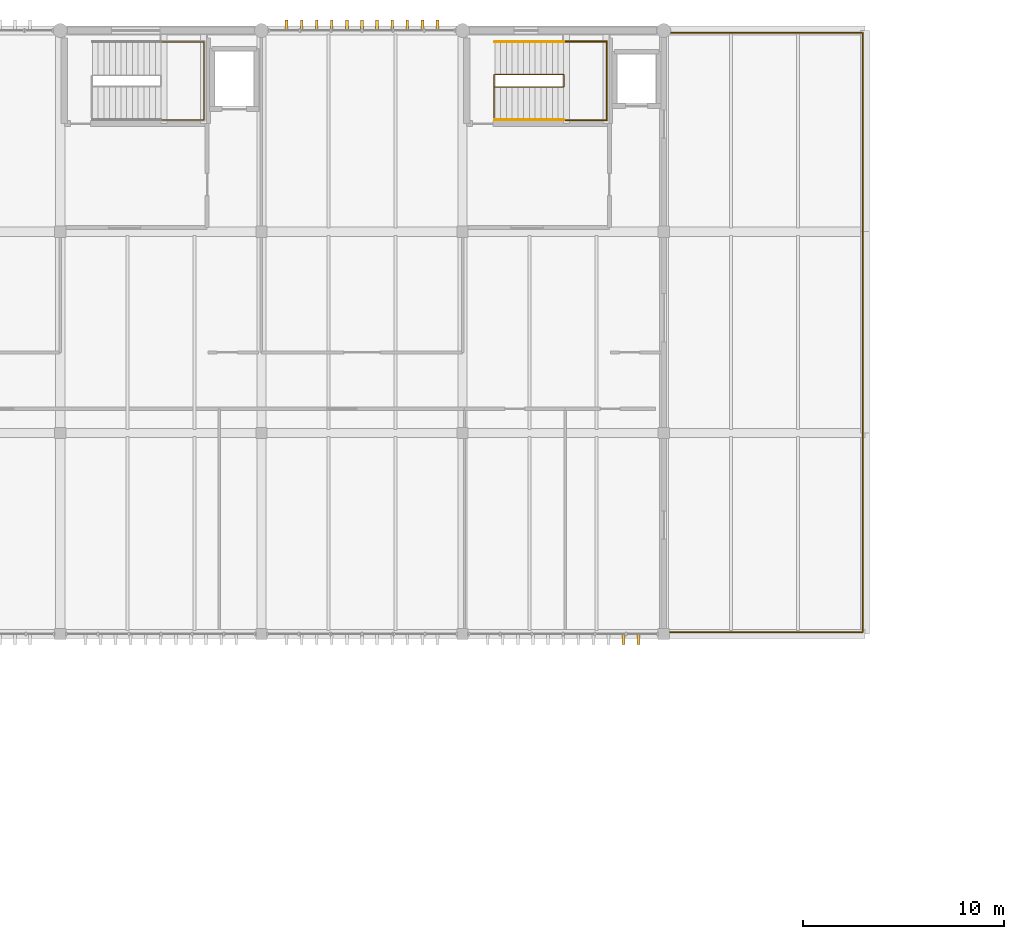
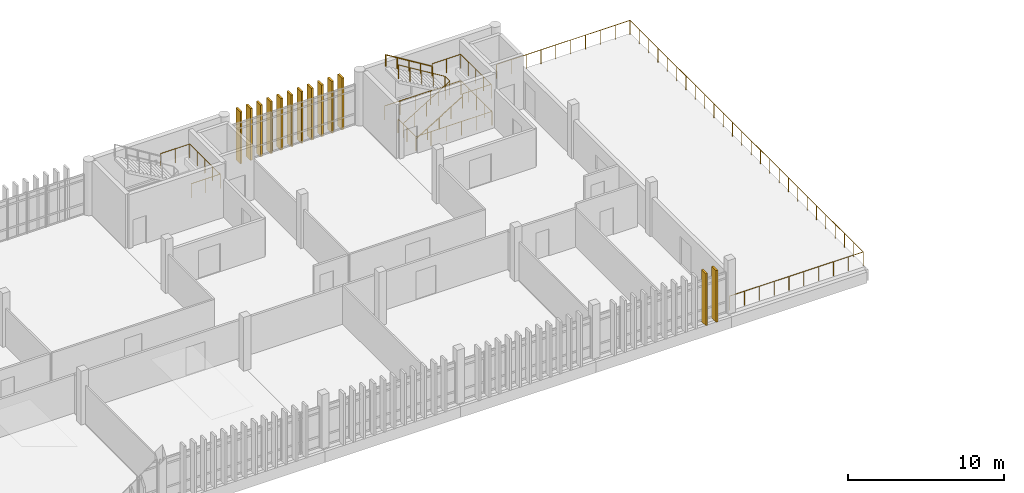
# One storey, part 29 of 29: 13 shading devices, 7 railings.
"""IFC4 building model written with IfcOpenShell, lengths in metres."""

from ifc_helpers import new_model, si_unit, direction, frame, origin, origin_2d, place, context, subcontext, project, spatial, rectangle, circle, extrude, material, type_object, element, save


model = new_model("IFC4")

# Units and contexts
model_context = context("Model", 3, precision=1e-05, world=origin(), true_north=direction((0.0, 1.0)))
body_context = subcontext(model_context, "Body", "Model", "MODEL_VIEW")
ifc_project = project(units=[si_unit("LENGTHUNIT", "METRE"), si_unit("AREAUNIT", "SQUARE_METRE"), si_unit("VOLUMEUNIT", "CUBIC_METRE"), si_unit("PLANEANGLEUNIT", "RADIAN"), si_unit("MASSUNIT", "GRAM", prefix="KILO")], contexts=[model_context])

# Site, building, storey
site_placement = place(None, origin())
site = spatial("IfcSite", under=ifc_project, at=site_placement, CompositionType="ELEMENT")
building_placement = place(site_placement, origin())
building = spatial("IfcBuilding", under=site, at=building_placement, Name="Mersad Railyard Sports Hall", CompositionType="ELEMENT")
storey_placement = place(building_placement, frame((0.0, 0.0, 17.39990234375)))
storey = spatial("IfcBuildingStorey", under=building, at=storey_placement, Name="L04", CompositionType="ELEMENT", Elevation=17.39990234375)

# Railings
ifc_material_1 = material(Name="Steel S355", Category="steel")
railing_type_1 = type_object("IfcRailingType", Name="ARC-RL-GR01", PredefinedType="GUARDRAIL", material=ifc_material_1)
railing_1_placement = place(storey_placement, frame((121.050048828125, 114.89990234375, 0.0)))
element("IfcRailing", 1, at=railing_1_placement, inside=storey, type_object=railing_type_1, Name="Perimeter guard GR01-0007", PredefinedType="GUARDRAIL", context=body_context, shape_type="SweptSolid", body=[
    extrude(circle(Radius=0.02392578125, at=origin_2d()), frame((0.0, 0.0, 1.09619140625), z_axis=(1.0, 0.0, 0.0), x_axis=(0.0, 1.0, 0.0)), (0.0, 0.0, 1.0), 9.849853515625),
    extrude(circle(Radius=0.02392578125, at=origin_2d()), frame((9.849853515625, 0.0, 1.09619140625), z_axis=(0.0, -1.0, 0.0), x_axis=(1.0, 0.0, 0.0)), (0.0, 0.0, 1.0), 29.7998046875),
    extrude(circle(Radius=0.02392578125, at=origin_2d()), frame((9.849853515625, -29.7998046875, 1.09619140625), z_axis=(-1.0, 0.0, 0.0), x_axis=(0.0, -1.0, 0.0)), (0.0, 0.0, 1.0), 9.849853515625),
    extrude(circle(Radius=0.02099609375, at=origin_2d()), origin(), (0.0, 0.0, 1.0), 1.072021484375),
    extrude(circle(Radius=0.02099609375, at=origin_2d()), frame((1.094482421875, 0.0, 0.0)), (0.0, 0.0, 1.0), 1.072021484375),
    extrude(circle(Radius=0.02099609375, at=origin_2d()), frame((2.18896484375, 0.0, 0.0)), (0.0, 0.0, 1.0), 1.072021484375),
    extrude(circle(Radius=0.02099609375, at=origin_2d()), frame((3.283203125, 0.0, 0.0)), (0.0, 0.0, 1.0), 1.072021484375),
    extrude(circle(Radius=0.02099609375, at=origin_2d()), frame((4.377685546875, 0.0, 0.0)), (0.0, 0.0, 1.0), 1.072021484375),
    extrude(circle(Radius=0.02099609375, at=origin_2d()), frame((5.47216796875, 0.0, 0.0)), (0.0, 0.0, 1.0), 1.072021484375),
    extrude(circle(Radius=0.02099609375, at=origin_2d()), frame((6.566650390625, 0.0, 0.0)), (0.0, 0.0, 1.0), 1.072021484375),
    extrude(circle(Radius=0.02099609375, at=origin_2d()), frame((7.660888671875, 0.0, 0.0)), (0.0, 0.0, 1.0), 1.072021484375),
    extrude(circle(Radius=0.02099609375, at=origin_2d()), frame((8.75537109375, 0.0, 0.0)), (0.0, 0.0, 1.0), 1.072021484375),
    extrude(circle(Radius=0.02099609375, at=origin_2d()), frame((9.849853515625, 0.0, 0.0)), (0.0, 0.0, 1.0), 1.072021484375),
    extrude(circle(Radius=0.02099609375, at=origin_2d()), frame((9.849853515625, -1.19189453125, 0.0)), (0.0, 0.0, 1.0), 1.072021484375),
    extrude(circle(Radius=0.02099609375, at=origin_2d()), frame((9.849853515625, -2.384033203125, 0.0)), (0.0, 0.0, 1.0), 1.072021484375),
    extrude(circle(Radius=0.02099609375, at=origin_2d()), frame((9.849853515625, -3.575927734375, 0.0)), (0.0, 0.0, 1.0), 1.072021484375),
    extrude(circle(Radius=0.02099609375, at=origin_2d()), frame((9.849853515625, -4.76806640625, 0.0)), (0.0, 0.0, 1.0), 1.072021484375),
    extrude(circle(Radius=0.02099609375, at=origin_2d()), frame((9.849853515625, -5.9599609375, 0.0)), (0.0, 0.0, 1.0), 1.072021484375),
    extrude(circle(Radius=0.02099609375, at=origin_2d()), frame((9.849853515625, -7.15185546875, 0.0)), (0.0, 0.0, 1.0), 1.072021484375),
    extrude(circle(Radius=0.02099609375, at=origin_2d()), frame((9.849853515625, -8.343994140625, 0.0)), (0.0, 0.0, 1.0), 1.072021484375),
    extrude(circle(Radius=0.02099609375, at=origin_2d()), frame((9.849853515625, -9.535888671875, 0.0)), (0.0, 0.0, 1.0), 1.072021484375),
    extrude(circle(Radius=0.02099609375, at=origin_2d()), frame((9.849853515625, -10.72802734375, 0.0)), (0.0, 0.0, 1.0), 1.072021484375),
    extrude(circle(Radius=0.02099609375, at=origin_2d()), frame((9.849853515625, -11.919921875, 0.0)), (0.0, 0.0, 1.0), 1.072021484375),
    extrude(circle(Radius=0.02099609375, at=origin_2d()), frame((9.849853515625, -13.11181640625, 0.0)), (0.0, 0.0, 1.0), 1.072021484375),
    extrude(circle(Radius=0.02099609375, at=origin_2d()), frame((9.849853515625, -14.303955078125, 0.0)), (0.0, 0.0, 1.0), 1.072021484375),
    extrude(circle(Radius=0.02099609375, at=origin_2d()), frame((9.849853515625, -15.495849609375, 0.0)), (0.0, 0.0, 1.0), 1.072021484375),
    extrude(circle(Radius=0.02099609375, at=origin_2d()), frame((9.849853515625, -16.68798828125, 0.0)), (0.0, 0.0, 1.0), 1.072021484375),
    extrude(circle(Radius=0.02099609375, at=origin_2d()), frame((9.849853515625, -17.8798828125, 0.0)), (0.0, 0.0, 1.0), 1.072021484375),
    extrude(circle(Radius=0.02099609375, at=origin_2d()), frame((9.849853515625, -19.07177734375, 0.0)), (0.0, 0.0, 1.0), 1.072021484375),
    extrude(circle(Radius=0.02099609375, at=origin_2d()), frame((9.849853515625, -20.263916015625, 0.0)), (0.0, 0.0, 1.0), 1.072021484375),
    extrude(circle(Radius=0.02099609375, at=origin_2d()), frame((9.849853515625, -21.455810546875, 0.0)), (0.0, 0.0, 1.0), 1.072021484375),
    extrude(circle(Radius=0.02099609375, at=origin_2d()), frame((9.849853515625, -22.64794921875, 0.0)), (0.0, 0.0, 1.0), 1.072021484375),
    extrude(circle(Radius=0.02099609375, at=origin_2d()), frame((9.849853515625, -23.83984375, 0.0)), (0.0, 0.0, 1.0), 1.072021484375),
    extrude(circle(Radius=0.02099609375, at=origin_2d()), frame((9.849853515625, -25.03173828125, 0.0)), (0.0, 0.0, 1.0), 1.072021484375),
    extrude(circle(Radius=0.02099609375, at=origin_2d()), frame((9.849853515625, -26.223876953125, 0.0)), (0.0, 0.0, 1.0), 1.072021484375),
    extrude(circle(Radius=0.02099609375, at=origin_2d()), frame((9.849853515625, -27.415771484375, 0.0)), (0.0, 0.0, 1.0), 1.072021484375),
    extrude(circle(Radius=0.02099609375, at=origin_2d()), frame((9.849853515625, -28.60791015625, 0.0)), (0.0, 0.0, 1.0), 1.072021484375),
    extrude(circle(Radius=0.02099609375, at=origin_2d()), frame((9.849853515625, -29.7998046875, 0.0)), (0.0, 0.0, 1.0), 1.072021484375),
    extrude(circle(Radius=0.02099609375, at=origin_2d()), frame((8.75537109375, -29.7998046875, 0.0)), (0.0, 0.0, 1.0), 1.072021484375),
    extrude(circle(Radius=0.02099609375, at=origin_2d()), frame((7.660888671875, -29.7998046875, 0.0)), (0.0, 0.0, 1.0), 1.072021484375),
    extrude(circle(Radius=0.02099609375, at=origin_2d()), frame((6.566650390625, -29.7998046875, 0.0)), (0.0, 0.0, 1.0), 1.072021484375),
    extrude(circle(Radius=0.02099609375, at=origin_2d()), frame((5.47216796875, -29.7998046875, 0.0)), (0.0, 0.0, 1.0), 1.072021484375),
    extrude(circle(Radius=0.02099609375, at=origin_2d()), frame((4.377685546875, -29.7998046875, 0.0)), (0.0, 0.0, 1.0), 1.072021484375),
    extrude(circle(Radius=0.02099609375, at=origin_2d()), frame((3.283203125, -29.7998046875, 0.0)), (0.0, 0.0, 1.0), 1.072021484375),
    extrude(circle(Radius=0.02099609375, at=origin_2d()), frame((2.18896484375, -29.7998046875, 0.0)), (0.0, 0.0, 1.0), 1.072021484375),
    extrude(circle(Radius=0.02099609375, at=origin_2d()), frame((1.094482421875, -29.7998046875, 0.0)), (0.0, 0.0, 1.0), 1.072021484375),
    extrude(circle(Radius=0.02099609375, at=origin_2d()), frame((0.0, -29.7998046875, 0.0)), (0.0, 0.0, 1.0), 1.072021484375),
])
railing_2_placement = place(storey_placement, frame((96.008056640625, 110.56005859375, 2.10009765625)))
element("IfcRailing", 2, at=railing_2_placement, inside=storey, type_object=railing_type_1, Name="Interior guard GR01-0059", PredefinedType="GUARDRAIL", context=body_context, shape_type="SweptSolid", body=[
    extrude(circle(Radius=0.02392578125, at=origin_2d()), frame((0.0, 0.0, 1.09619140625), z_axis=(1.0, 0.0, 0.0), x_axis=(0.0, 1.0, 0.0)), (0.0, 0.0, 1.0), 2.1318359375),
    extrude(circle(Radius=0.02392578125, at=origin_2d()), frame((2.1318359375, 0.0, 1.09619140625), z_axis=(0.0, 1.0, 0.0), x_axis=(-1.0, 0.0, 0.0)), (0.0, 0.0, 1.0), 3.8798828125),
    extrude(circle(Radius=0.02392578125, at=origin_2d()), frame((2.1318359375, 3.8798828125, 1.09619140625), z_axis=(-1.0, 0.0, 0.0), x_axis=(0.0, -1.0, 0.0)), (0.0, 0.0, 1.0), 2.1318359375),
    extrude(circle(Radius=0.02099609375, at=origin_2d()), origin(), (0.0, 0.0, 1.0), 1.072021484375),
    extrude(circle(Radius=0.02099609375, at=origin_2d()), frame((1.06591796875, 0.0, 0.0)), (0.0, 0.0, 1.0), 1.072021484375),
    extrude(circle(Radius=0.02099609375, at=origin_2d()), frame((2.1318359375, 0.0, 0.0)), (0.0, 0.0, 1.0), 1.072021484375),
    extrude(circle(Radius=0.02099609375, at=origin_2d()), frame((2.1318359375, 0.969970703125, 0.0)), (0.0, 0.0, 1.0), 1.072021484375),
    extrude(circle(Radius=0.02099609375, at=origin_2d()), frame((2.1318359375, 1.93994140625, 0.0)), (0.0, 0.0, 1.0), 1.072021484375),
    extrude(circle(Radius=0.02099609375, at=origin_2d()), frame((2.1318359375, 2.909912109375, 0.0)), (0.0, 0.0, 1.0), 1.072021484375),
    extrude(circle(Radius=0.02099609375, at=origin_2d()), frame((2.1318359375, 3.8798828125, 0.0)), (0.0, 0.0, 1.0), 1.072021484375),
    extrude(circle(Radius=0.02099609375, at=origin_2d()), frame((1.06591796875, 3.8798828125, 0.0)), (0.0, 0.0, 1.0), 1.072021484375),
    extrude(circle(Radius=0.02099609375, at=origin_2d()), frame((0.0, 3.8798828125, 0.0)), (0.0, 0.0, 1.0), 1.072021484375),
])
railing_3_placement = place(storey_placement, frame((112.56005859375, 112.7900390625, 0.0)))
element("IfcRailing", 3, at=railing_3_placement, inside=storey, type_object=railing_type_1, Name="Interior guard GR01-0085", PredefinedType="GUARDRAIL", context=body_context, shape_type="SweptSolid", body=[
    extrude(circle(Radius=0.02392578125, at=origin_2d()), frame((0.0, 0.0, 1.09619140625), z_axis=(0.0, -1.0, 0.0), x_axis=(1.0, 0.0, 0.0)), (0.0, 0.0, 1.0), 2.27001953125),
    extrude(circle(Radius=0.02392578125, at=origin_2d()), frame((0.0, -2.27001953125, 1.09619140625), z_axis=(1.0, 0.0, 0.0), x_axis=(0.0, 1.0, 0.0)), (0.0, 0.0, 1.0), 5.619873046875),
    extrude(circle(Radius=0.02392578125, at=origin_2d()), frame((5.619873046875, -2.27001953125, 1.09619140625), z_axis=(0.0, 1.0, 0.0), x_axis=(-1.0, 0.0, 0.0)), (0.0, 0.0, 1.0), 3.9599609375),
    extrude(circle(Radius=0.02392578125, at=origin_2d()), frame((5.619873046875, 1.68994140625, 1.09619140625), z_axis=(-1.0, 0.0, 0.0), x_axis=(0.0, -1.0, 0.0)), (0.0, 0.0, 1.0), 5.619873046875),
    extrude(circle(Radius=0.02099609375, at=origin_2d()), origin(), (0.0, 0.0, 1.0), 1.072021484375),
    extrude(circle(Radius=0.02099609375, at=origin_2d()), frame((0.0, -1.135009765625, 0.0)), (0.0, 0.0, 1.0), 1.072021484375),
    extrude(circle(Radius=0.02099609375, at=origin_2d()), frame((0.0, -2.27001953125, 0.0)), (0.0, 0.0, 1.0), 1.072021484375),
    extrude(circle(Radius=0.02099609375, at=origin_2d()), frame((1.1240234375, -2.27001953125, 0.0)), (0.0, 0.0, 1.0), 1.072021484375),
    extrude(circle(Radius=0.02099609375, at=origin_2d()), frame((2.248046875, -2.27001953125, 0.0)), (0.0, 0.0, 1.0), 1.072021484375),
    extrude(circle(Radius=0.02099609375, at=origin_2d()), frame((3.371826171875, -2.27001953125, 0.0)), (0.0, 0.0, 1.0), 1.072021484375),
    extrude(circle(Radius=0.02099609375, at=origin_2d()), frame((4.495849609375, -2.27001953125, 0.0)), (0.0, 0.0, 1.0), 1.072021484375),
    extrude(circle(Radius=0.02099609375, at=origin_2d()), frame((5.619873046875, -2.27001953125, 0.0)), (0.0, 0.0, 1.0), 1.072021484375),
    extrude(circle(Radius=0.02099609375, at=origin_2d()), frame((5.619873046875, -1.280029296875, 0.0)), (0.0, 0.0, 1.0), 1.072021484375),
    extrude(circle(Radius=0.02099609375, at=origin_2d()), frame((5.619873046875, -0.2900390625, 0.0)), (0.0, 0.0, 1.0), 1.072021484375),
    extrude(circle(Radius=0.02099609375, at=origin_2d()), frame((5.619873046875, 0.699951171875, 0.0)), (0.0, 0.0, 1.0), 1.072021484375),
    extrude(circle(Radius=0.02099609375, at=origin_2d()), frame((5.619873046875, 1.68994140625, 0.0)), (0.0, 0.0, 1.0), 1.072021484375),
    extrude(circle(Radius=0.02099609375, at=origin_2d()), frame((4.495849609375, 1.68994140625, 0.0)), (0.0, 0.0, 1.0), 1.072021484375),
    extrude(circle(Radius=0.02099609375, at=origin_2d()), frame((3.371826171875, 1.68994140625, 0.0)), (0.0, 0.0, 1.0), 1.072021484375),
    extrude(circle(Radius=0.02099609375, at=origin_2d()), frame((2.248046875, 1.68994140625, 0.0)), (0.0, 0.0, 1.0), 1.072021484375),
    extrude(circle(Radius=0.02099609375, at=origin_2d()), frame((1.1240234375, 1.68994140625, 0.0)), (0.0, 0.0, 1.0), 1.072021484375),
    extrude(circle(Radius=0.02099609375, at=origin_2d()), frame((0.0, 1.68994140625, 0.0)), (0.0, 0.0, 1.0), 1.072021484375),
])
railing_4_placement = place(storey_placement, frame((112.60009765625, 112.18994140625, 0.0)))
element("IfcRailing", 4, at=railing_4_placement, inside=storey, type_object=railing_type_1, Name="Interior guard GR01-0088", PredefinedType="GUARDRAIL", context=body_context, shape_type="SweptSolid", body=[
    extrude(circle(Radius=0.02392578125, at=origin_2d()), frame((0.0, 0.0, 1.09619140625), z_axis=(0.852968192732, 0.0, 0.521962893497), x_axis=(0.0, 1.0, 0.0)), (0.0, 0.0, 1.0), 4.0234375),
    extrude(circle(Radius=0.02392578125, at=origin_2d()), frame((3.431884765625, 0.0, 3.1962890625), z_axis=(0.0, 1.0, 0.0), x_axis=(-1.0, 0.0, 0.0)), (0.0, 0.0, 1.0), 0.6201171875),
    extrude(circle(Radius=0.02392578125, at=origin_2d()), frame((3.431884765625, 0.6201171875, 3.1962890625), z_axis=(-0.852968192732, 0.0, 0.521962893497), x_axis=(0.0, -1.0, 0.0)), (0.0, 0.0, 1.0), 4.0234375),
    extrude(circle(Radius=0.02099609375, at=origin_2d()), origin(), (0.0, 0.0, 1.0), 1.072021484375),
    extrude(circle(Radius=0.02099609375, at=origin_2d()), frame((0.85791015625, 0.0, 0.52490234375)), (0.0, 0.0, 1.0), 1.072021484375),
    extrude(circle(Radius=0.02099609375, at=origin_2d()), frame((1.7158203125, 0.0, 1.050048828125)), (0.0, 0.0, 1.0), 1.072021484375),
    extrude(circle(Radius=0.02099609375, at=origin_2d()), frame((2.573974609375, 0.0, 1.5751953125)), (0.0, 0.0, 1.0), 1.072021484375),
    extrude(circle(Radius=0.02099609375, at=origin_2d()), frame((3.431884765625, 0.0, 2.10009765625)), (0.0, 0.0, 1.0), 1.072021484375),
    extrude(circle(Radius=0.02099609375, at=origin_2d()), frame((3.431884765625, 0.6201171875, 2.10009765625)), (0.0, 0.0, 1.0), 1.072021484375),
    extrude(circle(Radius=0.02099609375, at=origin_2d()), frame((2.573974609375, 0.6201171875, 2.625)), (0.0, 0.0, 1.0), 1.072021484375),
    extrude(circle(Radius=0.02099609375, at=origin_2d()), frame((1.7158203125, 0.6201171875, 3.150146484375)), (0.0, 0.0, 1.0), 1.072021484375),
    extrude(circle(Radius=0.02099609375, at=origin_2d()), frame((0.85791015625, 0.6201171875, 3.67529296875)), (0.0, 0.0, 1.0), 1.072021484375),
    extrude(circle(Radius=0.02099609375, at=origin_2d()), frame((0.0, 0.6201171875, 4.2001953125)), (0.0, 0.0, 1.0), 1.072021484375),
])
railing_5_placement = place(storey_placement, frame((116.031982421875, 110.56005859375, 2.10009765625)))
element("IfcRailing", 5, at=railing_5_placement, inside=storey, type_object=railing_type_1, Name="Interior guard GR01-0089", PredefinedType="GUARDRAIL", context=body_context, shape_type="SweptSolid", body=[
    extrude(circle(Radius=0.02392578125, at=origin_2d()), frame((0.0, 0.0, 1.09619140625), z_axis=(1.0, 0.0, 0.0), x_axis=(0.0, 1.0, 0.0)), (0.0, 0.0, 1.0), 2.10791015625),
    extrude(circle(Radius=0.02392578125, at=origin_2d()), frame((2.10791015625, 0.0, 1.09619140625), z_axis=(0.0, 1.0, 0.0), x_axis=(-1.0, 0.0, 0.0)), (0.0, 0.0, 1.0), 3.8798828125),
    extrude(circle(Radius=0.02392578125, at=origin_2d()), frame((2.10791015625, 3.8798828125, 1.09619140625), z_axis=(-1.0, 0.0, 0.0), x_axis=(0.0, -1.0, 0.0)), (0.0, 0.0, 1.0), 2.10791015625),
    extrude(circle(Radius=0.02099609375, at=origin_2d()), origin(), (0.0, 0.0, 1.0), 1.072021484375),
    extrude(circle(Radius=0.02099609375, at=origin_2d()), frame((1.053955078125, 0.0, 0.0)), (0.0, 0.0, 1.0), 1.072021484375),
    extrude(circle(Radius=0.02099609375, at=origin_2d()), frame((2.10791015625, 0.0, 0.0)), (0.0, 0.0, 1.0), 1.072021484375),
    extrude(circle(Radius=0.02099609375, at=origin_2d()), frame((2.10791015625, 0.969970703125, 0.0)), (0.0, 0.0, 1.0), 1.072021484375),
    extrude(circle(Radius=0.02099609375, at=origin_2d()), frame((2.10791015625, 1.93994140625, 0.0)), (0.0, 0.0, 1.0), 1.072021484375),
    extrude(circle(Radius=0.02099609375, at=origin_2d()), frame((2.10791015625, 2.909912109375, 0.0)), (0.0, 0.0, 1.0), 1.072021484375),
    extrude(circle(Radius=0.02099609375, at=origin_2d()), frame((2.10791015625, 3.8798828125, 0.0)), (0.0, 0.0, 1.0), 1.072021484375),
    extrude(circle(Radius=0.02099609375, at=origin_2d()), frame((1.053955078125, 3.8798828125, 0.0)), (0.0, 0.0, 1.0), 1.072021484375),
    extrude(circle(Radius=0.02099609375, at=origin_2d()), frame((0.0, 3.8798828125, 0.0)), (0.0, 0.0, 1.0), 1.072021484375),
])
railing_type_2 = type_object("IfcRailingType", Name="ARC-RL-HR01", PredefinedType="HANDRAIL", material=ifc_material_1)
railing_6_placement = place(storey_placement, frame((112.60009765625, 110.56005859375, 0.0)))
element("IfcRailing", 6, at=railing_6_placement, inside=storey, type_object=railing_type_2, Name="Interior handrail HR01-0086", PredefinedType="HANDRAIL", context=body_context, shape_type="SweptSolid", body=[
    extrude(circle(Radius=0.02392578125, at=origin_2d()), frame((0.0, 0.0, 0.89599609375), z_axis=(0.852968192732, 0.0, 0.521962893497), x_axis=(0.0, 1.0, 0.0)), (0.0, 0.0, 1.0), 4.0234375),
    extrude(circle(Radius=0.02099609375, at=origin_2d()), origin(), (0.0, 0.0, 1.0), 0.871826171875),
    extrude(circle(Radius=0.02099609375, at=origin_2d()), frame((0.85791015625, 0.0, 0.52490234375)), (0.0, 0.0, 1.0), 0.871826171875),
    extrude(circle(Radius=0.02099609375, at=origin_2d()), frame((1.7158203125, 0.0, 1.050048828125)), (0.0, 0.0, 1.0), 0.871826171875),
    extrude(circle(Radius=0.02099609375, at=origin_2d()), frame((2.573974609375, 0.0, 1.5751953125)), (0.0, 0.0, 1.0), 0.871826171875),
    extrude(circle(Radius=0.02099609375, at=origin_2d()), frame((3.431884765625, 0.0, 2.10009765625)), (0.0, 0.0, 1.0), 0.871826171875),
])
railing_7_placement = place(storey_placement, frame((116.031982421875, 114.43994140625, 2.10009765625)))
element("IfcRailing", 7, at=railing_7_placement, inside=storey, type_object=railing_type_2, Name="Interior handrail HR01-0087", PredefinedType="HANDRAIL", context=body_context, shape_type="SweptSolid", body=[
    extrude(circle(Radius=0.02392578125, at=origin_2d()), frame((0.0, 0.0, 0.89599609375), z_axis=(-0.852968192732, 0.0, 0.521962893497), x_axis=(0.0, -1.0, 0.0)), (0.0, 0.0, 1.0), 4.0234375),
    extrude(circle(Radius=0.02099609375, at=origin_2d()), origin(), (0.0, 0.0, 1.0), 0.871826171875),
    extrude(circle(Radius=0.02099609375, at=origin_2d()), frame((-0.85791015625, 0.0, 0.52490234375)), (0.0, 0.0, 1.0), 0.871826171875),
    extrude(circle(Radius=0.02099609375, at=origin_2d()), frame((-1.7158203125, 0.0, 1.050048828125)), (0.0, 0.0, 1.0), 0.871826171875),
    extrude(circle(Radius=0.02099609375, at=origin_2d()), frame((-2.573974609375, 0.0, 1.5751953125)), (0.0, 0.0, 1.0), 0.871826171875),
    extrude(circle(Radius=0.02099609375, at=origin_2d()), frame((-3.431884765625, 0.0, 2.10009765625)), (0.0, 0.0, 1.0), 0.871826171875),
])

# Shading devices
ifc_material_2 = material(Name="Precast concrete C45/55", Category="concrete")
shading_device_type = type_object("IfcShadingDeviceType", Name="ARC-SH-FN01", PredefinedType="USERDEFINED", material=ifc_material_2)
for number, where, z_axis, x_axis, name in (
    (8, (102.25, 115.25, -0.10009765625), (0.0, 0.0, 1.0), (1.0, 0.0, 0.0), "Precast sun fin FN01-0638"),
    (9, (103.0, 115.25, -0.10009765625), (0.0, 0.0, 1.0), (1.0, 0.0, 0.0), "Precast sun fin FN01-0639"),
    (10, (103.75, 115.25, -0.10009765625), (0.0, 0.0, 1.0), (1.0, 0.0, 0.0), "Precast sun fin FN01-0640"),
    (11, (104.5, 115.25, -0.10009765625), (0.0, 0.0, 1.0), (1.0, 0.0, 0.0), "Precast sun fin FN01-0641"),
    (12, (105.25, 115.25, -0.10009765625), (0.0, 0.0, 1.0), (1.0, 0.0, 0.0), "Precast sun fin FN01-0642"),
    (13, (106.0, 115.25, -0.10009765625), (0.0, 0.0, 1.0), (1.0, 0.0, 0.0), "Precast sun fin FN01-0643"),
    (14, (106.75, 115.25, -0.10009765625), (0.0, 0.0, 1.0), (1.0, 0.0, 0.0), "Precast sun fin FN01-0644"),
    (15, (107.5, 115.25, -0.10009765625), (0.0, 0.0, 1.0), (1.0, 0.0, 0.0), "Precast sun fin FN01-0645"),
    (16, (108.25, 115.25, -0.10009765625), (0.0, 0.0, 1.0), (1.0, 0.0, 0.0), "Precast sun fin FN01-0646"),
    (17, (109.0, 115.25, -0.10009765625), (0.0, 0.0, 1.0), (1.0, 0.0, 0.0), "Precast sun fin FN01-0647"),
    (18, (109.75, 115.25, -0.10009765625), (0.0, 0.0, 1.0), (1.0, 0.0, 0.0), "Precast sun fin FN01-0648"),
    (19, (119.0, 84.75, -0.10009765625), (0.0, 0.0, 1.0), (1.0, 0.0, 0.0), "Precast sun fin FN01-0719"),
    (20, (119.75, 84.75, -0.10009765625), (0.0, 0.0, 1.0), (1.0, 0.0, 0.0), "Precast sun fin FN01-0720"),
):
    element("IfcShadingDevice", number, at=place(storey_placement, frame(where, z_axis=z_axis, x_axis=x_axis)), inside=storey, type_object=shading_device_type, Name=name, ObjectType="FIN", PredefinedType="USERDEFINED", context=body_context, shape_type="SweptSolid", body=[
        extrude(rectangle(XDim=0.139892578125, YDim=0.550048828125, at=origin_2d()), origin(), (0.0, 0.0, 1.0), 4.050048828125),
    ])

save(model, "model.ifc")
